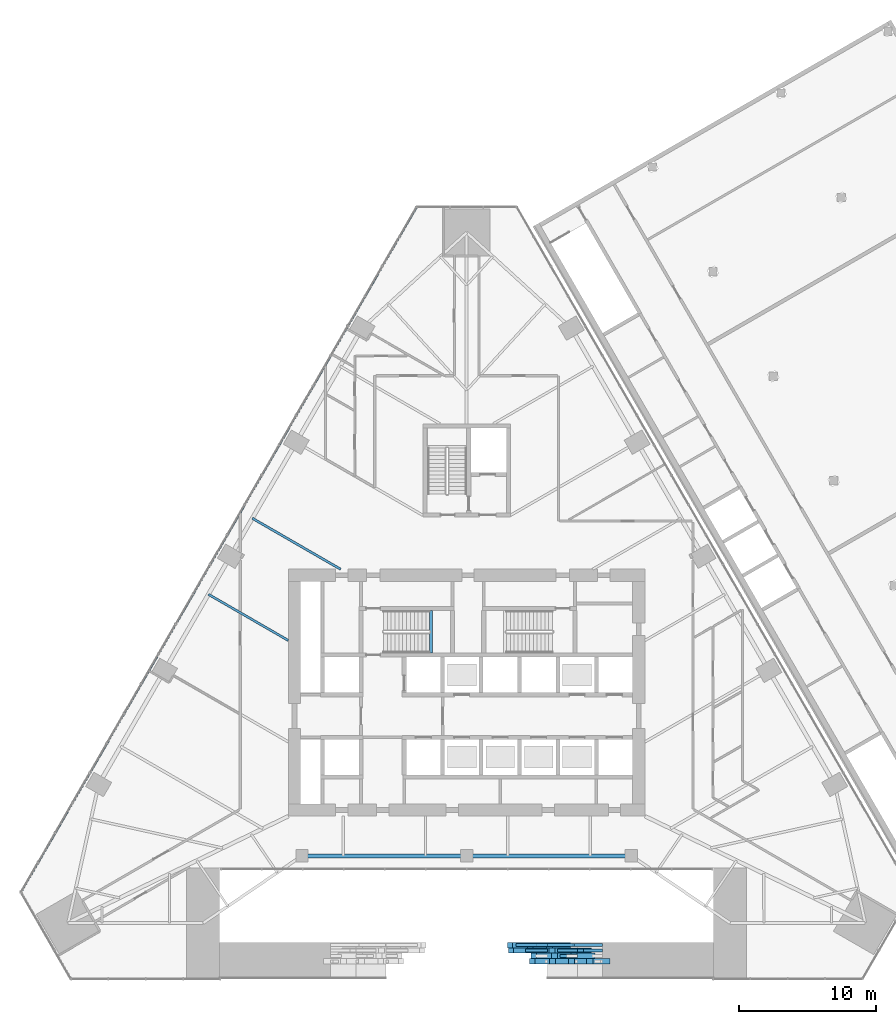
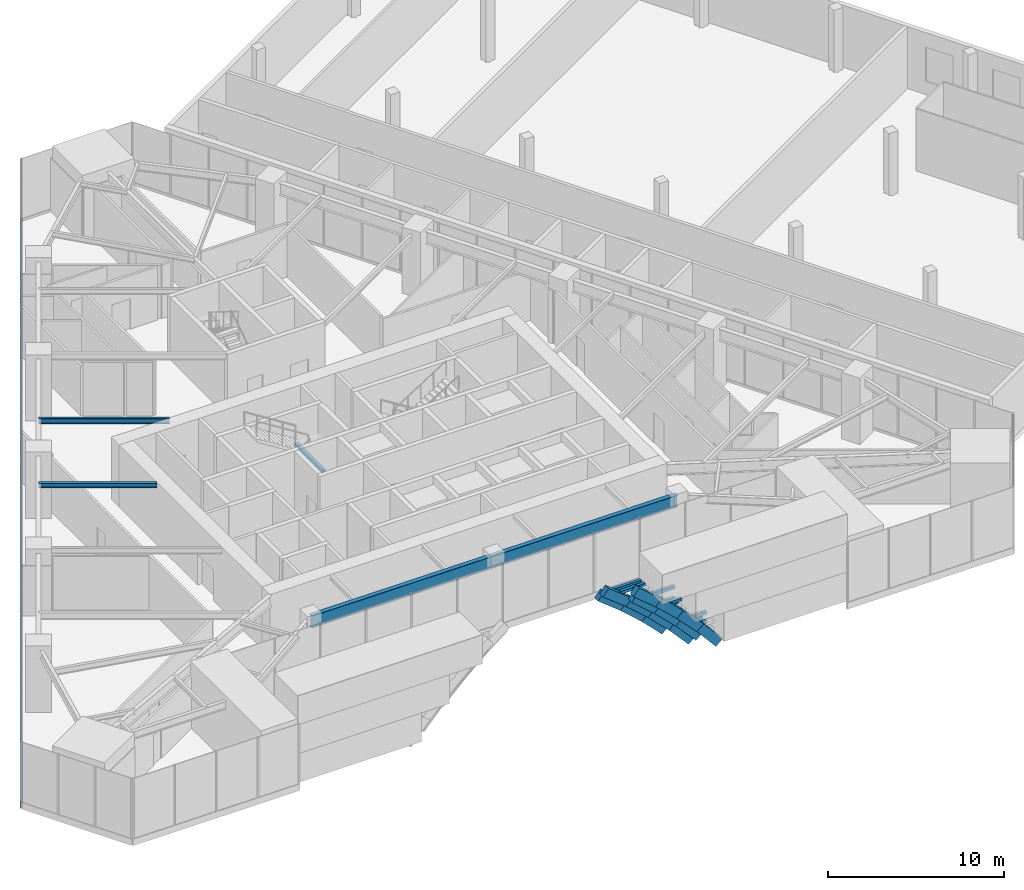
# One storey, part 4 of 23: 15 members, 14 beams, 1 element without a shape of its own.
"""IFC4 building model written with IfcOpenShell, lengths in metres."""

import ifcopenshell
import ifcopenshell.guid

model = None  # the IFC model being written
_history = None  # IfcOwnerHistory: only IFC2X3 demands one
_inside = {}  # id of a spatial element -> (the spatial element, [elements in it])
_under = {}  # id of a project, library or spatial element -> (it, [spatial elements below it])
_declared = {}  # id of a project -> (the project, [libraries it declares])
_typed = {}  # id of a type object -> (the type object, [elements of that type])
_made_of = {}  # id of a material, layer set ... -> (it, [elements and type objects made of it])


def new_model(schema):
    """Start an empty IFC model of exactly this schema.

    Asked for "IFC4X3", IfcOpenShell would pick the latest addendum, in which some entities
    have other attributes; the version numbers below select the first issue.
    IFC2X3 requires an IfcOwnerHistory on every rooted entity: one is made here for all.
    """
    global model, _history
    if schema == "IFC4X3":
        model = ifcopenshell.file(schema_version=(4, 3, 0, 0))
    else:
        model = ifcopenshell.file(schema=schema)
    _inside.clear()
    _under.clear()
    _declared.clear()
    _typed.clear()
    _made_of.clear()
    _history = None
    if model.schema == "IFC2X3":
        org = make("IfcOrganization", Name="unknown")
        user = make(
            "IfcPersonAndOrganization",
            ThePerson=make("IfcPerson", FamilyName="unknown"),
            TheOrganization=org,
        )
        app = make(
            "IfcApplication",
            ApplicationDeveloper=org,
            Version="unknown",
            ApplicationFullName="unknown",
            ApplicationIdentifier="unknown",
        )
        _history = make(
            "IfcOwnerHistory",
            OwningUser=user,
            OwningApplication=app,
            ChangeAction="ADDED",
            CreationDate=0,
        )
    return model


def make(cls, **values):
    """One entity of the class cls with the attributes given. An attribute that is None is left unset."""
    return model.create_entity(
        cls, **{name: value for name, value in values.items() if value is not None}
    )


def rooted(cls, **values):
    """An entity with a GlobalId (a new one), such as an element, a storey or a relation."""
    return make(cls, GlobalId=ifcopenshell.guid.new(), OwnerHistory=_history, **values)


def si_unit(unit_type, name, prefix=None):
    """IfcSIUnit, for example si_unit("LENGTHUNIT", "METRE", prefix="MILLI")."""
    return make("IfcSIUnit", UnitType=unit_type, Prefix=prefix, Name=name)


def assignment(units):
    """IfcUnitAssignment: the units of a project."""
    return None if units is None else make("IfcUnitAssignment", Units=units)


def point(xyz):
    """IfcCartesianPoint."""
    return None if xyz is None else make("IfcCartesianPoint", Coordinates=xyz)


def direction(xyz):
    """IfcDirection."""
    return None if xyz is None else make("IfcDirection", DirectionRatios=xyz)


def frame(location, z_axis=None, x_axis=None):
    """IfcAxis2Placement3D, a coordinate frame: its origin and axes. An axis left out is left unset."""
    return make(
        "IfcAxis2Placement3D",
        Location=point(location),
        Axis=direction(z_axis),
        RefDirection=direction(x_axis),
    )


def frame_2d(location, x_axis=None):
    """IfcAxis2Placement2D, a coordinate frame in the plane: its origin and x axis."""
    return make(
        "IfcAxis2Placement2D", Location=point(location), RefDirection=direction(x_axis)
    )


def origin():
    """The frame at (0, 0, 0) with its axes left unset."""
    return frame((0.0, 0.0, 0.0))


def origin_2d():
    """The frame at (0, 0) in the plane with its x axis left unset."""
    return frame_2d((0.0, 0.0))


def place(relative_to, where):
    """IfcLocalPlacement: puts the frame where relative to a parent placement (None: the world)."""
    return make(
        "IfcLocalPlacement", PlacementRelTo=relative_to, RelativePlacement=where
    )


def context(
    kind, dimensions, precision=None, world=None, true_north=None, identifier=None
):
    """IfcGeometricRepresentationContext, for example the 3D "Model" context."""
    return make(
        "IfcGeometricRepresentationContext",
        ContextIdentifier=identifier,
        ContextType=kind,
        CoordinateSpaceDimension=dimensions,
        Precision=precision,
        WorldCoordinateSystem=world,
        TrueNorth=true_north,
    )


def subcontext(parent, identifier, kind, view, scale=None):
    """IfcGeometricRepresentationSubContext, for example "Body" below "Model"."""
    return make(
        "IfcGeometricRepresentationSubContext",
        ContextIdentifier=identifier,
        ContextType=kind,
        ParentContext=parent,
        TargetScale=scale,
        TargetView=view,
    )


def project(units=None, contexts=None):
    """IfcProject with its units and contexts."""
    return rooted(
        "IfcProject",
        Name="project",
        RepresentationContexts=contexts,
        UnitsInContext=assignment(units),
    )


def spatial(cls, under=None, at=None, **own):
    """A site, building, storey or space (cls), placed at a placement, below another one or the project."""
    s = rooted(cls, ObjectPlacement=at, **own)
    if under is not None:
        _under.setdefault(under.id(), (under, []))[1].append(s)
    return s


def profile(cls, at=None, kind="AREA", **sizes):
    """A parametric profile (cls). Its sizes go by their IFC names, for example OverallWidth=200.0."""
    return make(cls, ProfileType=kind, Position=at, **sizes)


def rectangle(**sizes):
    """IfcRectangleProfileDef."""
    return profile("IfcRectangleProfileDef", **sizes)


def i_section(**sizes):
    """IfcIShapeProfileDef."""
    return profile("IfcIShapeProfileDef", **sizes)


def extrude(swept, where, along, depth):
    """IfcExtrudedAreaSolid: the profile swept, set in the frame where, extruded along a direction by depth."""
    return make(
        "IfcExtrudedAreaSolid",
        SweptArea=swept,
        Position=where,
        ExtrudedDirection=direction(along),
        Depth=depth,
    )


def shape(context_of_items, identifier, shape_type, items):
    """IfcShapeRepresentation: the items that make up one representation, for example the "Body"."""
    return make(
        "IfcShapeRepresentation",
        ContextOfItems=context_of_items,
        RepresentationIdentifier=identifier,
        RepresentationType=shape_type,
        Items=items,
    )


def material(Name=None, Category=None):
    """IfcMaterial."""
    return make("IfcMaterial", Name=Name, Category=Category)


def layer(
    of_material, thickness, ventilated=None, Name=None, Category=None, Priority=None
):
    """IfcMaterialLayer: one layer of a wall or slab, of a material (None: an air gap)."""
    return make(
        "IfcMaterialLayer",
        Material=of_material,
        LayerThickness=thickness,
        IsVentilated=ventilated,
        Name=Name,
        Category=Category,
        Priority=Priority,
    )


def layer_set(layers, Name=None):
    """IfcMaterialLayerSet."""
    return make("IfcMaterialLayerSet", MaterialLayers=layers, LayerSetName=Name)


def material_profile(
    of_material, cross_section, Name=None, Category=None, Priority=None
):
    """IfcMaterialProfile: a cross section and its material."""
    return make(
        "IfcMaterialProfile",
        Name=Name,
        Material=of_material,
        Profile=cross_section,
        Priority=Priority,
        Category=Category,
    )


def profile_set(profiles, Name=None, composite=None):
    """IfcMaterialProfileSet."""
    return make(
        "IfcMaterialProfileSet",
        Name=Name,
        MaterialProfiles=profiles,
        CompositeProfile=composite,
    )


def made_of(thing, what):
    """Note that an element or type object is made of a material, layer set ...; save() writes the relation."""
    if what is not None:
        _made_of.setdefault(what.id(), (what, []))[1].append(thing)
    return thing


def type_object(cls, material=None, **own):
    """A type object (cls), such as IfcWallType, which elements share."""
    return made_of(rooted(cls, **own), material)


def element(
    cls,
    number,
    at=None,
    inside=None,
    cuts=None,
    type_object=None,
    material=None,
    context=None,
    identifier="Body",
    shape_type=None,
    held_by="IfcProductDefinitionShape",
    body=None,
    shapes=None,
    **own,
):
    """One element of the class cls, such as IfcWall. Its Tag is "e" and its number.

    at: its placement. inside: the storey or other place that contains it. cuts: it is an
    opening in that element (IfcRelVoidsElement). A single representation is given by context,
    identifier, shape_type and body (its items); several are given by shapes. held_by: the class
    of the entity that holds the representations. save() writes the other relations.
    """
    e = rooted(cls, Tag="e%d" % number, ObjectPlacement=at, **own)
    if body is not None:
        shapes = [shape(context, identifier, shape_type, body)]
    if shapes is not None:
        e.Representation = make(held_by, Representations=shapes)
    if inside is not None:
        _inside.setdefault(inside.id(), (inside, []))[1].append(e)
    if cuts is not None:
        rooted(
            "IfcRelVoidsElement", RelatingBuildingElement=cuts, RelatedOpeningElement=e
        )
    if type_object is not None:
        _typed.setdefault(type_object.id(), (type_object, []))[1].append(e)
    return made_of(e, material)


def aggregate(whole, parts):
    """IfcRelAggregates: a whole, such as a stair, and the parts it consists of."""
    return rooted("IfcRelAggregates", RelatingObject=whole, RelatedObjects=parts)


def save(model, path):
    """Write the relations noted so far, then the file.

    IfcRelAggregates (storeys below a building ...), IfcRelContainedInSpatialStructure (elements
    in a storey), IfcRelDefinesByType, IfcRelAssociatesMaterial and IfcRelDeclares: one each for
    every whole, place, type object, material and project.
    """
    for whole, parts in _under.values():
        aggregate(whole, parts)
    for where, things in _inside.values():
        rooted(
            "IfcRelContainedInSpatialStructure",
            RelatedElements=things,
            RelatingStructure=where,
        )
    for kind, things in _typed.values():
        rooted("IfcRelDefinesByType", RelatedObjects=things, RelatingType=kind)
    for what, things in _made_of.values():
        rooted("IfcRelAssociatesMaterial", RelatedObjects=things, RelatingMaterial=what)
    for by, libraries in _declared.values():
        rooted("IfcRelDeclares", RelatingContext=by, RelatedDefinitions=libraries)
    model.write(path)


model = new_model("IFC4")

# Units and contexts
model_context = context("Model", 3, precision=1e-05, world=origin(), true_north=direction((0.0, 1.0)))
body_context = subcontext(model_context, "Body", "Model", "MODEL_VIEW")
ifc_project = project(units=[si_unit("LENGTHUNIT", "METRE"), si_unit("AREAUNIT", "SQUARE_METRE"), si_unit("VOLUMEUNIT", "CUBIC_METRE"), si_unit("PLANEANGLEUNIT", "RADIAN"), si_unit("MASSUNIT", "GRAM", prefix="KILO")], contexts=[model_context])

# Site, building, storey
site_placement = place(None, origin())
site = spatial("IfcSite", under=ifc_project, at=site_placement, CompositionType="ELEMENT")
building_placement = place(site_placement, origin())
building = spatial("IfcBuilding", under=site, at=building_placement, Name="Firuza Gate Tower and Library", CompositionType="ELEMENT")
storey_placement = place(building_placement, frame((0.0, 0.0, 21.800048828125)))
storey = spatial("IfcBuildingStorey", under=building, at=storey_placement, Name="L04", CompositionType="ELEMENT", Elevation=21.800048828125)

# Members
ifc_material_1 = material(Name="Concrete C60/75", Category="concrete")
ifc_material_profile_1 = material_profile(ifc_material_1, rectangle(XDim=0.39990234375, YDim=0.60009765625, at=origin_2d()))
ifc_profile_set_1 = profile_set([ifc_material_profile_1], Name="Concrete C60/75")
member_type_1 = type_object("IfcMemberType", Name="Arch rib 600x400", PredefinedType="USERDEFINED", material=ifc_profile_set_1)
member_1_placement = place(storey_placement, frame((79.78564453125, 55.415283203125, 4.75927734375), z_axis=(0.768703002111, 0.0, -0.639605890017), x_axis=(0.0, 1.0, 0.0)))
element("IfcMember", 1, at=member_1_placement, inside=storey, type_object=member_type_1, Name="Arch rib 1.23", ObjectType="ARCH RIB", PredefinedType="USERDEFINED", context=body_context, shape_type="SweptSolid", body=[
    extrude(rectangle(XDim=0.39990234375, YDim=0.60009765625, at=origin_2d()), origin(), (0.0, 0.0, 1.0), 1.91015625),
])
member_2_placement = place(storey_placement, frame((81.25390625, 55.415283203125, 3.53759765625), z_axis=(0.731407976441, 0.0, -0.681940152798), x_axis=(0.0, 1.0, 0.0)))
element("IfcMember", 2, at=member_2_placement, inside=storey, type_object=member_type_1, Name="Arch rib 1.24", ObjectType="ARCH RIB", PredefinedType="USERDEFINED", context=body_context, shape_type="SweptSolid", body=[
    extrude(rectangle(XDim=0.39990234375, YDim=0.60009765625, at=origin_2d()), origin(), (0.0, 0.0, 1.0), 1.909912109375),
])
for number, where, z_axis, x_axis, name in (
    (3, (82.65087890625, 55.415283203125, 2.235107421875), (0.691602712438, 0.0, -0.72227812382), (0.0, 1.0, 0.0), "Arch rib 1.25"),
    (4, (83.971923828125, 55.415283203125, 0.85546875), (0.64966441511, 0.0, -0.760221117662), (0.0, 1.0, 0.0), "Arch rib 1.26"),
):
    element("IfcMember", number, at=place(storey_placement, frame(where, z_axis=z_axis, x_axis=x_axis)), inside=storey, type_object=member_type_1, Name=name, ObjectType="ARCH RIB", PredefinedType="USERDEFINED", context=body_context, shape_type="SweptSolid", body=[
        extrude(rectangle(XDim=0.39990234375, YDim=0.60009765625, at=origin_2d()), origin(), (0.0, 0.0, 1.0), 1.91015625),
    ])
member_3_placement = place(storey_placement, frame((79.89990234375, 55.8154296875, 4.08447265625), z_axis=(0.756325143026, 0.0, -0.654195901872), x_axis=(0.0, 1.0, 0.0)))
element("IfcMember", 5, at=member_3_placement, inside=storey, type_object=member_type_1, Name="Arch rib 2.22", ObjectType="ARCH RIB", PredefinedType="USERDEFINED", context=body_context, shape_type="SweptSolid", body=[
    extrude(rectangle(XDim=0.39990234375, YDim=0.60009765625, at=origin_2d()), origin(), (0.0, 0.0, 1.0), 1.974609375),
])
member_4_placement = place(storey_placement, frame((81.393310546875, 55.8154296875, 2.792724609375), z_axis=(0.716259700509, 0.0, -0.697833820782), x_axis=(0.0, 1.0, 0.0)))
element("IfcMember", 6, at=member_4_placement, inside=storey, type_object=member_type_1, Name="Arch rib 2.23", ObjectType="ARCH RIB", PredefinedType="USERDEFINED", context=body_context, shape_type="SweptSolid", body=[
    extrude(rectangle(XDim=0.39990234375, YDim=0.60009765625, at=origin_2d()), origin(), (0.0, 0.0, 1.0), 1.97412109375),
])
member_5_placement = place(storey_placement, frame((82.807373046875, 55.8154296875, 1.4150390625), z_axis=(0.673773716348, 0.0, -0.738937736997), x_axis=(0.0, 1.0, 0.0)))
element("IfcMember", 7, at=member_5_placement, inside=storey, type_object=member_type_1, Name="Arch rib 2.24", ObjectType="ARCH RIB", PredefinedType="USERDEFINED", context=body_context, shape_type="SweptSolid", body=[
    extrude(rectangle(XDim=0.39990234375, YDim=0.60009765625, at=origin_2d()), origin(), (0.0, 0.0, 1.0), 1.974365234375),
])
for number, where, z_axis, x_axis, name in (
    (8, (78.24169921875, 56.21533203125, 4.797607421875), (0.787989900437, 0.0, -0.615688165234), (0.0, 1.0, 0.0), "Arch rib 3.21"),
    (9, (79.7646484375, 56.21533203125, 3.607666015625), (0.750648355177, 0.0, -0.660701934967), (0.0, 1.0, 0.0), "Arch rib 3.22"),
    (10, (81.21533203125, 56.21533203125, 2.330810546875), (0.710697844897, 0.0, -0.703497386817), (0.0, 1.0, 0.0), "Arch rib 3.23"),
):
    element("IfcMember", number, at=place(storey_placement, frame(where, z_axis=z_axis, x_axis=x_axis)), inside=storey, type_object=member_type_1, Name=name, ObjectType="ARCH RIB", PredefinedType="USERDEFINED", context=body_context, shape_type="SweptSolid", body=[
        extrude(rectangle(XDim=0.39990234375, YDim=0.60009765625, at=origin_2d()), origin(), (0.0, 0.0, 1.0), 1.9326171875),
    ])
member_6_placement = place(storey_placement, frame((82.5888671875, 56.21533203125, 0.97119140625), z_axis=(0.668329426171, 0.0, -0.743865430111), x_axis=(0.0, 1.0, 0.0)))
element("IfcMember", 11, at=member_6_placement, inside=storey, type_object=member_type_1, Name="Arch rib 3.24", ObjectType="ARCH RIB", PredefinedType="USERDEFINED", context=body_context, shape_type="SweptSolid", body=[
    extrude(rectangle(XDim=0.39990234375, YDim=0.60009765625, at=origin_2d()), origin(), (0.0, 0.0, 1.0), 1.932861328125),
])
member_7_placement = place(storey_placement, frame((78.150146484375, 56.615478515625, 4.3095703125), z_axis=(0.782089044866, 0.0, -0.623166691906), x_axis=(0.0, 1.0, 0.0)))
element("IfcMember", 12, at=member_7_placement, inside=storey, type_object=member_type_1, Name="Arch rib 4.21", ObjectType="ARCH RIB", PredefinedType="USERDEFINED", context=body_context, shape_type="SweptSolid", body=[
    extrude(rectangle(XDim=0.39990234375, YDim=0.60009765625, at=origin_2d()), origin(), (0.0, 0.0, 1.0), 1.89111328125),
])
member_8_placement = place(storey_placement, frame((79.629150390625, 56.615478515625, 3.131103515625), z_axis=(0.744717683985, 0.0, -0.667379630465), x_axis=(0.0, 1.0, 0.0)))
element("IfcMember", 13, at=member_8_placement, inside=storey, type_object=member_type_1, Name="Arch rib 4.22", ObjectType="ARCH RIB", PredefinedType="USERDEFINED", context=body_context, shape_type="SweptSolid", body=[
    extrude(rectangle(XDim=0.39990234375, YDim=0.60009765625, at=origin_2d()), origin(), (0.0, 0.0, 1.0), 1.890869140625),
])
member_9_placement = place(storey_placement, frame((81.037353515625, 56.615478515625, 1.869140625), z_axis=(0.704779089361, 0.0, -0.709426835691), x_axis=(0.0, 1.0, 0.0)))
element("IfcMember", 14, at=member_9_placement, inside=storey, type_object=member_type_1, Name="Arch rib 4.23", ObjectType="ARCH RIB", PredefinedType="USERDEFINED", context=body_context, shape_type="SweptSolid", body=[
    extrude(rectangle(XDim=0.39990234375, YDim=0.60009765625, at=origin_2d()), origin(), (0.0, 0.0, 1.0), 1.89111328125),
])

# Beams
ifc_material_2 = material(Name="Concrete C60/75", Category="concrete")
ifc_material_profile_2 = material_profile(ifc_material_2, rectangle(XDim=0.199951171875, YDim=0.199951171875, at=origin_2d()))
ifc_profile_set_2 = profile_set([ifc_material_profile_2], Name="Concrete C60/75")
beam_type_1 = type_object("IfcBeamType", Name="Arch rib bracket 200x200", PredefinedType="BEAM", material=ifc_profile_set_2)
beam_1_placement = place(storey_placement, frame((83.06982421875, 55.8154296875, 2.8427734375), z_axis=(-1.0, 0.0, 0.0), x_axis=(0.0, -1.0, 0.0)))
element("IfcBeam", 15, at=beam_1_placement, inside=storey, type_object=beam_type_1, Name="Arch rib bracket 2.22", PredefinedType="BEAM", context=body_context, shape_type="SweptSolid", body=[
    extrude(rectangle(XDim=0.199951171875, YDim=0.199951171875, at=origin_2d()), origin(), (0.0, 0.0, 1.0), 1.285888671875),
])
beam_2_placement = place(storey_placement, frame((80.890625, 56.21533203125, 4.365966796875), z_axis=(-1.0, 0.0, 0.0), x_axis=(0.0, -1.0, 0.0)))
element("IfcBeam", 16, at=beam_2_placement, inside=storey, type_object=beam_type_1, Name="Arch rib bracket 3.21", PredefinedType="BEAM", context=body_context, shape_type="SweptSolid", body=[
    extrude(rectangle(XDim=0.199951171875, YDim=0.199951171875, at=origin_2d()), origin(), (0.0, 0.0, 1.0), 1.619384765625),
])
beam_3_placement = place(storey_placement, frame((83.06982421875, 56.21533203125, 2.380859375), z_axis=(-1.0, 0.0, 0.0), x_axis=(0.0, -1.0, 0.0)))
element("IfcBeam", 17, at=beam_3_placement, inside=storey, type_object=beam_type_1, Name="Arch rib bracket 3.22", PredefinedType="BEAM", context=body_context, shape_type="SweptSolid", body=[
    extrude(rectangle(XDim=0.199951171875, YDim=0.199951171875, at=origin_2d()), origin(), (0.0, 0.0, 1.0), 1.46728515625),
])
beam_4_placement = place(storey_placement, frame((84.906005859375, 56.21533203125, 1.02099609375), z_axis=(-1.0, 0.0, 0.0), x_axis=(0.0, -1.0, 0.0)))
element("IfcBeam", 18, at=beam_4_placement, inside=storey, type_object=beam_type_1, Name="Arch rib bracket 3.23", PredefinedType="BEAM", context=body_context, shape_type="SweptSolid", body=[
    extrude(rectangle(XDim=0.199951171875, YDim=0.199951171875, at=origin_2d()), origin(), (0.0, 0.0, 1.0), 1.951171875),
])
beam_5_placement = place(storey_placement, frame((84.906005859375, 56.21533203125, 0.385986328125), z_axis=(-1.0, 0.0, 0.0), x_axis=(0.0, -1.0, 0.0)))
element("IfcBeam", 19, at=beam_5_placement, inside=storey, type_object=beam_type_1, Name="Arch rib bracket 3.24", PredefinedType="BEAM", context=body_context, shape_type="SweptSolid", body=[
    extrude(rectangle(XDim=0.199951171875, YDim=0.199951171875, at=origin_2d()), origin(), (0.0, 0.0, 1.0), 1.398193359375),
])
beam_6_placement = place(storey_placement, frame((80.890625, 56.615478515625, 4.359619140625), z_axis=(-1.0, 0.0, 0.0), x_axis=(0.0, -1.0, 0.0)))
element("IfcBeam", 20, at=beam_6_placement, inside=storey, type_object=beam_type_1, Name="Arch rib bracket 4.20", PredefinedType="BEAM", context=body_context, shape_type="SweptSolid", body=[
    extrude(rectangle(XDim=0.199951171875, YDim=0.199951171875, at=origin_2d()), origin(), (0.0, 0.0, 1.0), 2.30126953125),
])
beam_7_placement = place(storey_placement, frame((83.06982421875, 56.615478515625, 3.18115234375), z_axis=(-1.0, 0.0, 0.0), x_axis=(0.0, -1.0, 0.0)))
element("IfcBeam", 21, at=beam_7_placement, inside=storey, type_object=beam_type_1, Name="Arch rib bracket 4.21", PredefinedType="BEAM", context=body_context, shape_type="SweptSolid", body=[
    extrude(rectangle(XDim=0.199951171875, YDim=0.199951171875, at=origin_2d()), origin(), (0.0, 0.0, 1.0), 3.031982421875),
])
beam_8_placement = place(storey_placement, frame((83.06982421875, 56.615478515625, 2.384033203125), z_axis=(-1.0, 0.0, 0.0), x_axis=(0.0, -1.0, 0.0)))
element("IfcBeam", 22, at=beam_8_placement, inside=storey, type_object=beam_type_1, Name="Arch rib bracket 4.22", PredefinedType="BEAM", context=body_context, shape_type="SweptSolid", body=[
    extrude(rectangle(XDim=0.199951171875, YDim=0.199951171875, at=origin_2d()), origin(), (0.0, 0.0, 1.0), 2.16748046875),
])
beam_9_placement = place(storey_placement, frame((84.906005859375, 56.615478515625, 0.57763671875), z_axis=(-1.0, 0.0, 0.0), x_axis=(0.0, -1.0, 0.0)))
element("IfcBeam", 23, at=beam_9_placement, inside=storey, type_object=beam_type_1, Name="Arch rib bracket 4.23", PredefinedType="BEAM", context=body_context, shape_type="SweptSolid", body=[
    extrude(rectangle(XDim=0.199951171875, YDim=0.199951171875, at=origin_2d()), origin(), (0.0, 0.0, 1.0), 2.172607421875),
])
beam_10_placement = place(storey_placement, frame((84.906005859375, 56.615478515625, 0.411865234375), z_axis=(-1.0, 0.0, 0.0), x_axis=(0.0, -1.0, 0.0)))
element("IfcBeam", 24, at=beam_10_placement, inside=storey, type_object=beam_type_1, Name="Arch rib bracket 4.24", PredefinedType="BEAM", context=body_context, shape_type="SweptSolid", body=[
    extrude(rectangle(XDim=0.199951171875, YDim=0.199951171875, at=origin_2d()), origin(), (0.0, 0.0, 1.0), 2.04296875),
])

# Curtain wall, member
ifc_material_3 = material(Name="Aluminium 6063-T6", Category="aluminium")
ifc_layer = layer(ifc_material_3, 0.14990234375)
ifc_layer_set = layer_set([ifc_layer], Name="Stick curtain wall, podium")
curtain_wall_type = type_object("IfcCurtainWallType", Name="Stick curtain wall, podium", PredefinedType="NOTDEFINED", material=ifc_layer_set)
curtain_wall_placement = place(storey_placement, origin())
curtain_wall = element("IfcCurtainWall", 25, at=curtain_wall_placement, inside=storey, type_object=curtain_wall_type, Name="CW5 L04 W", PredefinedType="NOTDEFINED")
ifc_material_4 = material(Name="Aluminium 6063-T6", Category="aluminium")
ifc_material_profile_3 = material_profile(ifc_material_4, rectangle(XDim=0.14990234375, YDim=0.449951171875, at=origin_2d()))
ifc_profile_set_3 = profile_set([ifc_material_profile_3], Name="Aluminium 6063-T6")
member_type_2 = type_object("IfcMemberType", Name="Curtain wall transom 450x150", PredefinedType="USERDEFINED", material=ifc_profile_set_3)
member_10_placement = place(storey_placement, frame((71.356689453125, 110.408935546875, -0.074951171875), z_axis=(-0.499998069382, -0.866026518424, 0.0), x_axis=(0.866026518424, -0.499998069382, 0.0)))
member_10 = element("IfcMember", 26, at=member_10_placement, type_object=member_type_2, Name="Transom", ObjectType="TRANSOM", PredefinedType="USERDEFINED", context=body_context, shape_type="SweptSolid", body=[
    extrude(rectangle(XDim=0.14990234375, YDim=0.449951171875, at=origin_2d()), origin(), (0.0, 0.0, 1.0), 57.686767578125),
])
aggregate(curtain_wall, [member_10])

# Beams
ifc_material_5 = material(Name="Concrete C35/45", Category="concrete")
ifc_material_profile_4 = material_profile(ifc_material_5, rectangle(XDim=0.199951171875, YDim=0.199951171875, at=origin_2d()))
ifc_profile_set_4 = profile_set([ifc_material_profile_4], Name="Concrete C35/45")
beam_type_2 = type_object("IfcBeamType", Name="Stair landing bearer 200x200", PredefinedType="BEAM", material=ifc_profile_set_4)
beam_11_placement = place(storey_placement, frame((72.39990234375, 77.89990234375, 2.0), z_axis=(0.0, 1.0, 0.0), x_axis=(-1.0, 0.0, 0.0)))
element("IfcBeam", 27, at=beam_11_placement, inside=storey, type_object=beam_type_2, Name="Landing bearer L04 stair 1", PredefinedType="BEAM", context=body_context, shape_type="SweptSolid", body=[
    extrude(rectangle(XDim=0.199951171875, YDim=0.199951171875, at=origin_2d()), origin(), (0.0, 0.0, 1.0), 3.080078125),
])
ifc_material_6 = material(Name="Steel S355", Category="steel")
ifc_material_profile_5 = material_profile(ifc_material_6, i_section(OverallWidth=0.1650390625, OverallDepth=0.31005859375, WebThickness=0.005859375, FlangeThickness=0.009765625, at=origin_2d()))
ifc_profile_set_5 = profile_set([ifc_material_profile_5], Name="Steel S355")
beam_type_3 = type_object("IfcBeamType", Name="W310x39 Floor beam", PredefinedType="JOIST", material=ifc_profile_set_5)
beam_12_placement = place(storey_placement, frame((56.179443359375, 82.171142578125, 4.14501953125), z_axis=(0.866019234261, -0.500010685776, 0.0), x_axis=(0.500010685776, 0.866019234261, 0.0)))
element("IfcBeam", 28, at=beam_12_placement, inside=storey, type_object=beam_type_3, Name="Floor beam L04 s103", PredefinedType="JOIST", context=body_context, shape_type="SweptSolid", body=[
    extrude(i_section(OverallWidth=0.1650390625, OverallDepth=0.31005859375, WebThickness=0.005859375, FlangeThickness=0.009765625, at=origin_2d()), origin(), (0.0, 0.0, 1.0), 6.720947265625),
])
ifc_material_7 = material(Name="Steel S355", Category="steel")
ifc_material_profile_6 = material_profile(ifc_material_7, i_section(OverallWidth=0.1708984375, OverallDepth=0.35498046875, WebThickness=0.007080078125, FlangeThickness=0.01171875, at=origin_2d()))
ifc_profile_set_6 = profile_set([ifc_material_profile_6], Name="Steel S355")
beam_type_4 = type_object("IfcBeamType", Name="W360x51 Floor beam", PredefinedType="JOIST", material=ifc_profile_set_6)
beam_13_placement = place(storey_placement, frame((59.37939453125, 87.713623046875, 4.12255859375), z_axis=(0.866023556141, -0.500003200199, 0.0), x_axis=(0.500003200199, 0.866023556141, 0.0)))
element("IfcBeam", 29, at=beam_13_placement, inside=storey, type_object=beam_type_4, Name="Floor beam L04 s102", PredefinedType="JOIST", context=body_context, shape_type="SweptSolid", body=[
    extrude(i_section(OverallWidth=0.1708984375, OverallDepth=0.35498046875, WebThickness=0.007080078125, FlangeThickness=0.01171875, at=origin_2d()), origin(), (0.0, 0.0, 1.0), 7.42724609375),
])
ifc_material_8 = material(Name="Steel S355", Category="steel")
ifc_material_profile_7 = material_profile(ifc_material_8, i_section(OverallWidth=0.2919921875, OverallDepth=0.8349609375, WebThickness=0.013916015625, FlangeThickness=0.018798828125, at=origin_2d()))
ifc_profile_set_7 = profile_set([ifc_material_profile_7], Name="Steel S355")
beam_type_5 = type_object("IfcBeamType", Name="W840x176 Edge beam", PredefinedType="SPANDREL", material=ifc_profile_set_7)
beam_14_placement = place(storey_placement, frame((63.0, 63.115478515625, 3.882568359375), z_axis=(1.0, 0.0, 0.0), x_axis=(0.0, 1.0, 0.0)))
element("IfcBeam", 30, at=beam_14_placement, inside=storey, type_object=beam_type_5, Name="Edge beam L04 e30", PredefinedType="SPANDREL", context=body_context, shape_type="SweptSolid", body=[
    extrude(i_section(OverallWidth=0.2919921875, OverallDepth=0.8349609375, WebThickness=0.013916015625, FlangeThickness=0.018798828125, at=origin_2d()), origin(), (0.0, 0.0, 1.0), 24.0),
])

save(model, "model.ifc")
